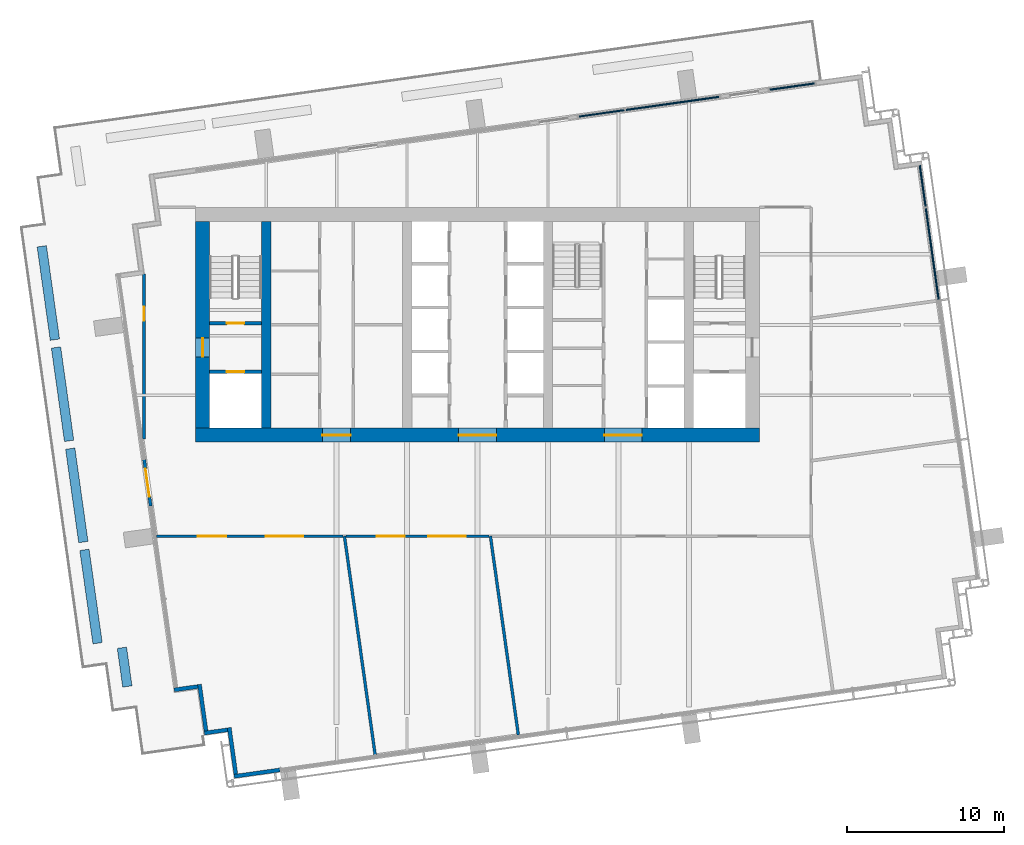
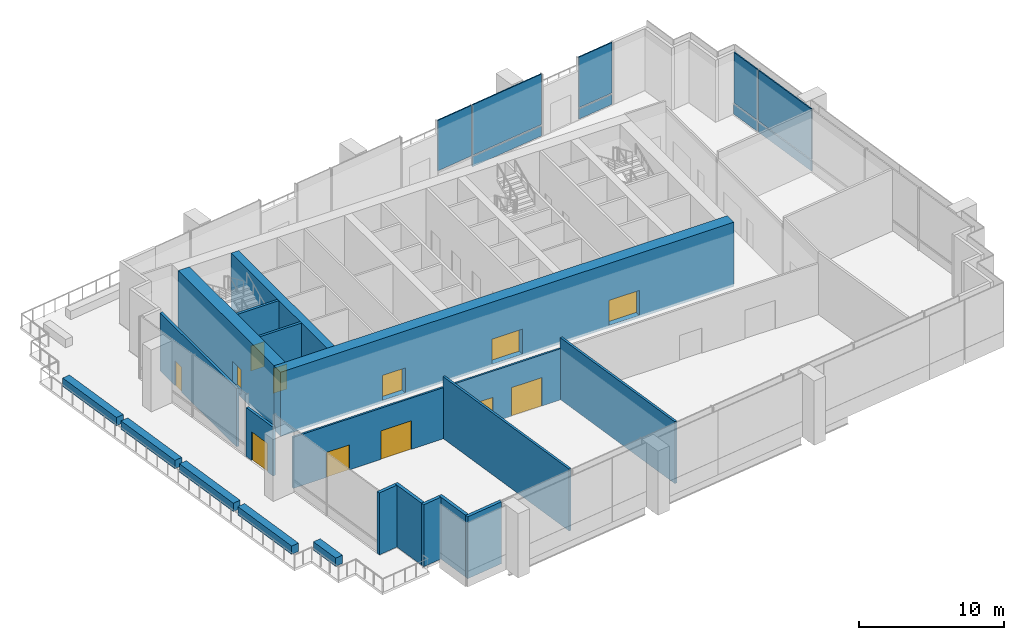
# One storey, part 6 of 18: 21 walls, 10 doors, 9 plates, 2 windows, 12 openings, 3 elements without a shape of their own.
"""IFC4 building model written with IfcOpenShell, lengths in metres."""

from ifc_helpers import new_model, si_unit, direction, frame, frame_2d, origin, origin_2d, place, context, subcontext, project, spatial, rectangle, extrude, material, layer, layer_set, type_object, element, fill, aggregate, save


model = new_model("IFC4")

# Units and contexts
model_context = context("Model", 3, precision=1e-05, world=origin(), true_north=direction((0.0, 1.0)))
body_context = subcontext(model_context, "Body", "Model", "MODEL_VIEW")
ifc_project = project(units=[si_unit("LENGTHUNIT", "METRE"), si_unit("AREAUNIT", "SQUARE_METRE"), si_unit("VOLUMEUNIT", "CUBIC_METRE"), si_unit("PLANEANGLEUNIT", "RADIAN"), si_unit("MASSUNIT", "GRAM", prefix="KILO")], contexts=[model_context])

# Site, building, storey
site_placement = place(None, origin())
site = spatial("IfcSite", under=ifc_project, at=site_placement, CompositionType="ELEMENT")
building_placement = place(site_placement, origin())
building = spatial("IfcBuilding", under=site, at=building_placement, Name="Rattan Terrace Tower", CompositionType="ELEMENT")
storey_placement = place(building_placement, frame((0.0, 0.0, 208.10009765625)))
storey = spatial("IfcBuildingStorey", under=building, at=storey_placement, Name="L47", CompositionType="ELEMENT", Elevation=208.10009765625)

# Curtain wall, plates
ifc_material_1 = material(Name="Steel fins, aluminium and glass", Category="steel")
ifc_layer_1 = layer(ifc_material_1, 0.300048828125)
ifc_layer_set_1 = layer_set([ifc_layer_1], Name="Sky Lobby Stick Curtain Wall")
curtain_wall_type = type_object("IfcCurtainWallType", Name="Sky Lobby Stick Curtain Wall", PredefinedType="NOTDEFINED", material=ifc_layer_set_1)
curtain_wall_1_placement = place(storey_placement, origin())
curtain_wall_1 = element("IfcCurtainWall", 1, at=curtain_wall_1_placement, inside=storey, type_object=curtain_wall_type, Name="Sky lobby curtain wall L47-1", PredefinedType="NOTDEFINED")
ifc_material_2 = material(Name="Insulated aluminium spandrel panel", Category="aluminium")
ifc_layer_2 = layer(ifc_material_2, 0.10009765625)
ifc_layer_set_2 = layer_set([ifc_layer_2], Name="Sky Lobby CW Insulated Panel")
plate_type_1 = type_object("IfcPlateType", Name="Sky Lobby CW Insulated Panel", PredefinedType="CURTAIN_PANEL", material=ifc_layer_set_2)
plate_1_placement = place(storey_placement, frame((29.03466796875, 4.52197265625, 0.0), z_axis=(0.0, 0.0, 1.0), x_axis=(-0.139186165309, 0.990266232579, 0.0)))
plate_1 = element("IfcPlate", 2, at=plate_1_placement, type_object=plate_type_1, Name="Panel cwl-L47-001.4.1", PredefinedType="CURTAIN_PANEL", context=body_context, shape_type="SweptSolid", body=[
    extrude(rectangle(XDim=5.919921875, YDim=0.10009765625, at=origin_2d()), origin(), (0.0, 0.0, 1.0), 0.840087890625),
])
plate_2_placement = place(storey_placement, frame((28.42626953125, 8.851806640625, 0.0), z_axis=(0.0, 0.0, 1.0), x_axis=(-0.139186165309, 0.990266232579, 0.0)))
plate_2 = element("IfcPlate", 3, at=plate_2_placement, type_object=plate_type_1, Name="Panel cwl-L47-001.5.1", PredefinedType="CURTAIN_PANEL", context=body_context, shape_type="SweptSolid", body=[
    extrude(rectangle(XDim=2.664794921875, YDim=0.10009765625, at=origin_2d()), origin(), (0.0, 0.0, 1.0), 0.840087890625),
])

# Curtain wall, plate
curtain_wall_2_placement = place(storey_placement, origin())
curtain_wall_2 = element("IfcCurtainWall", 4, at=curtain_wall_2_placement, inside=storey, type_object=curtain_wall_type, Name="Sky lobby curtain wall L47-2", PredefinedType="NOTDEFINED")
plate_3_placement = place(storey_placement, frame((20.091064453125, 15.21142578125, 0.0), z_axis=(0.0, 0.0, 1.0), x_axis=(-0.990267457022, -0.139177453499, 0.0)))
plate_3 = element("IfcPlate", 5, at=plate_3_placement, type_object=plate_type_1, Name="Panel cwl-L47-002.1.1", PredefinedType="CURTAIN_PANEL", context=body_context, shape_type="SweptSolid", body=[
    extrude(rectangle(XDim=2.9169921875, YDim=0.10009765625, at=origin_2d()), origin(), (0.0, 0.0, 1.0), 0.840087890625),
])

curtain_wall_3_placement = place(storey_placement, origin())
curtain_wall_3 = element("IfcCurtainWall", 6, at=curtain_wall_3_placement, inside=storey, type_object=curtain_wall_type, Name="Sky lobby curtain wall L47-3", PredefinedType="NOTDEFINED")
plate_4_placement = place(storey_placement, frame((12.45361328125, 14.13818359375, 0.0), z_axis=(0.0, 0.0, 1.0), x_axis=(-0.990267457022, -0.139177453499, 0.0)))
plate_4 = element("IfcPlate", 7, at=plate_4_placement, type_object=plate_type_1, Name="Panel cwl-L47-003.1.1", PredefinedType="CURTAIN_PANEL", context=body_context, shape_type="SweptSolid", body=[
    extrude(rectangle(XDim=6.033935546875, YDim=0.10009765625, at=origin_2d()), origin(), (0.0, 0.0, 1.0), 0.840087890625),
])

# Plate
ifc_material_3 = material(Name="Laminated low-iron glass", Category="glass")
ifc_layer_3 = layer(ifc_material_3, 0.090087890625)
ifc_layer_set_3 = layer_set([ifc_layer_3], Name="Sky Lobby CW Vision Panel")
plate_type_2 = type_object("IfcPlateType", Name="Sky Lobby CW Vision Panel", PredefinedType="CURTAIN_PANEL", material=ifc_layer_set_3)
plate_5_placement = place(storey_placement, frame((29.03466796875, 4.52197265625, 0.9599609375), z_axis=(0.0, 0.0, 1.0), x_axis=(-0.139186165309, 0.990266232579, 0.0)))
plate_5 = element("IfcPlate", 8, at=plate_5_placement, type_object=plate_type_2, Name="Panel cwl-L47-001.4.2", PredefinedType="CURTAIN_PANEL", context=body_context, shape_type="SweptSolid", body=[
    extrude(rectangle(XDim=5.919921875, YDim=0.090087890625, at=origin_2d()), origin(), (0.0, 0.0, 1.0), 4.239990234375),
])

plate_6_placement = place(storey_placement, frame((28.42626953125, 8.851806640625, 0.9599609375), z_axis=(0.0, 0.0, 1.0), x_axis=(-0.139186165309, 0.990266232579, 0.0)))
plate_6 = element("IfcPlate", 9, at=plate_6_placement, type_object=plate_type_2, Name="Panel cwl-L47-001.5.2", PredefinedType="CURTAIN_PANEL", context=body_context, shape_type="SweptSolid", body=[
    extrude(rectangle(XDim=2.664794921875, YDim=0.090087890625, at=origin_2d()), origin(), (0.0, 0.0, 1.0), 4.239990234375),
])

aggregate(curtain_wall_1, [plate_1, plate_5, plate_2, plate_6])

plate_7_placement = place(storey_placement, frame((20.091064453125, 15.21142578125, 0.9599609375), z_axis=(0.0, 0.0, 1.0), x_axis=(-0.990267457022, -0.139177453499, 0.0)))
plate_7 = element("IfcPlate", 10, at=plate_7_placement, type_object=plate_type_2, Name="Panel cwl-L47-002.1.2", PredefinedType="CURTAIN_PANEL", context=body_context, shape_type="SweptSolid", body=[
    extrude(rectangle(XDim=2.9169921875, YDim=0.090087890625, at=origin_2d()), origin(), (0.0, 0.0, 1.0), 4.239990234375),
])

aggregate(curtain_wall_2, [plate_3, plate_7])

plate_8_placement = place(storey_placement, frame((12.45361328125, 14.13818359375, 0.9599609375), z_axis=(0.0, 0.0, 1.0), x_axis=(-0.990267457022, -0.139177453499, 0.0)))
plate_8 = element("IfcPlate", 11, at=plate_8_placement, type_object=plate_type_2, Name="Panel cwl-L47-003.1.2", PredefinedType="CURTAIN_PANEL", context=body_context, shape_type="SweptSolid", body=[
    extrude(rectangle(XDim=6.033935546875, YDim=0.090087890625, at=origin_2d()), origin(), (0.0, 0.0, 1.0), 4.239990234375),
])

plate_9_placement = place(storey_placement, frame((7.922607421875, 13.501220703125, 0.9599609375), z_axis=(0.0, 0.0, 1.0), x_axis=(-0.990267457022, -0.139177453499, 0.0)))
plate_9 = element("IfcPlate", 12, at=plate_9_placement, type_object=plate_type_2, Name="Panel cwl-L47-003.2.2", PredefinedType="CURTAIN_PANEL", context=body_context, shape_type="SweptSolid", body=[
    extrude(rectangle(XDim=2.95703125, YDim=0.090087890625, at=origin_2d()), origin(), (0.0, 0.0, 1.0), 4.239990234375),
])

aggregate(curtain_wall_3, [plate_4, plate_8, plate_9])

# Wall, opening, door
ifc_material_4 = material(Name="Gypsum board partition")
ifc_layer_4 = layer(ifc_material_4, 0.199951171875)
ifc_layer_set_4 = layer_set([ifc_layer_4], Name="Core partition 200")
wall_type_1 = type_object("IfcWallType", Name="Core partition 200", PredefinedType="PARTITIONING", material=ifc_layer_set_4)
wall_1_placement = place(storey_placement, frame((-17.10009765625, -3.0, 0.0), z_axis=(0.0, 0.0, 1.0), x_axis=(1.0, 0.0, 0.0)))
wall_1 = element("IfcWall", 13, at=wall_1_placement, inside=storey, type_object=wall_type_1, Name="Fire-fighting lobby wall", PredefinedType="PARTITIONING", context=body_context, shape_type="SweptSolid", body=[
    extrude(rectangle(XDim=3.300048828125, YDim=0.199951171875, at=frame_2d((1.64990234375, 0.0))), origin(), (0.0, 0.0, 1.0), 5.199951171875),
])
opening_1_placement = place(wall_1_placement, frame((1.10009765625, 0.0, 0.0)))
opening_1 = element("IfcOpeningElement", 14, at=opening_1_placement, cuts=wall_1, Name="Opening L47-LD-FF1", PredefinedType="OPENING", context=body_context, shape_type="SweptSolid", body=[
    extrude(rectangle(XDim=1.10009765625, YDim=2.10009765625, at=frame_2d((0.550048828125, 1.050048828125))), frame((0.0, 0.110595703125, 0.0), z_axis=(0.0, -1.0, 0.0), x_axis=(1.0, 0.0, 0.0)), (0.0, 0.0, 1.0), 0.220947265625),
])
ifc_material_5 = material(Name="Brushed stainless landing door panel")
door_type_1 = type_object("IfcDoorType", Name="Core lift landing door 1100", OperationType="DOUBLE_DOOR_SLIDING", PredefinedType="DOOR", material=ifc_material_5)
door_1_placement = place(opening_1_placement, origin())
door_1 = element("IfcDoor", 15, at=door_1_placement, inside=storey, type_object=door_type_1, Name="Door L47-LD-FF1", OperationType="DOUBLE_DOOR_SLIDING", OverallHeight=2.10009765625, OverallWidth=1.10009765625, PredefinedType="DOOR", context=body_context, shape_type="SweptSolid", body=[
    extrude(rectangle(XDim=1.10009765625, YDim=2.10009765625, at=frame_2d((0.550048828125, 1.050048828125))), frame((0.0, 0.02490234375, 0.0), z_axis=(0.0, -1.0, 0.0), x_axis=(1.0, 0.0, 0.0)), (0.0, 0.0, 1.0), 0.050048828125),
])
fill(opening_1, door_1)

wall_2_placement = place(storey_placement, frame((-17.10009765625, 0.10009765625, 0.0), z_axis=(0.0, 0.0, 1.0), x_axis=(1.0, 0.0, 0.0)))
wall_2 = element("IfcWall", 16, at=wall_2_placement, inside=storey, type_object=wall_type_1, Name="Stair enclosure wall", PredefinedType="PARTITIONING", context=body_context, shape_type="SweptSolid", body=[
    extrude(rectangle(XDim=3.300048828125, YDim=0.199951171875, at=frame_2d((1.64990234375, 0.0))), origin(), (0.0, 0.0, 1.0), 5.199951171875),
])
opening_2_placement = place(wall_2_placement, frame((1.10009765625, 0.0, 0.0)))
opening_2 = element("IfcOpeningElement", 17, at=opening_2_placement, cuts=wall_2, Name="Opening L47-D002", PredefinedType="OPENING", context=body_context, shape_type="SweptSolid", body=[
    extrude(rectangle(XDim=1.10009765625, YDim=2.10009765625, at=frame_2d((0.550048828125, 1.050048828125))), frame((0.0, 0.110595703125, 0.0), z_axis=(0.0, -1.0, 0.0), x_axis=(1.0, 0.0, 0.0)), (0.0, 0.0, 1.0), 0.220947265625),
])
ifc_material_6 = material(Name="Hollow-metal fire door leaf")
door_type_2 = type_object("IfcDoorType", Name="Core stair door 1100", OperationType="NOTDEFINED", PredefinedType="DOOR", material=ifc_material_6)
door_2_placement = place(opening_2_placement, origin())
door_2 = element("IfcDoor", 18, at=door_2_placement, inside=storey, type_object=door_type_2, Name="Door L47-D002", OperationType="SINGLE_SWING_LEFT", OverallHeight=2.10009765625, OverallWidth=1.10009765625, PredefinedType="DOOR", context=body_context, shape_type="SweptSolid", body=[
    extrude(rectangle(XDim=1.10009765625, YDim=2.10009765625, at=frame_2d((0.550048828125, 1.050048828125))), frame((0.0, 0.02490234375, 0.0), z_axis=(0.0, -1.0, 0.0), x_axis=(1.0, 0.0, 0.0)), (0.0, 0.0, 1.0), 0.050048828125),
])
fill(opening_2, door_2)

# Wall, openings, doors
ifc_material_7 = material(Name="Concrete C50/60", Category="concrete")
ifc_layer_5 = layer(ifc_material_7, 0.89990234375)
ifc_layer_set_5 = layer_set([ifc_layer_5], Name="Core ring wall 900 C50/60")
wall_type_2 = type_object("IfcWallType", Name="Core ring wall 900 C50/60", PredefinedType="SHEAR", material=ifc_layer_set_5)
wall_3_placement = place(storey_placement, frame((-18.0, -7.050048828125, -0.2001953125), z_axis=(0.0, 0.0, 1.0), x_axis=(1.0, 0.0, 0.0)))
wall_3 = element("IfcWall", 19, at=wall_3_placement, inside=storey, type_object=wall_type_2, Name="Rear core wall south", PredefinedType="SHEAR", context=body_context, shape_type="SweptSolid", body=[
    extrude(rectangle(XDim=36.0, YDim=0.89990234375, at=frame_2d((18.0, 0.0))), origin(), (0.0, 0.0, 1.0), 5.400146484375),
])
opening_3_placement = place(wall_3_placement, frame((8.10009765625, 0.0, 0.199951171875)))
opening_3 = element("IfcOpeningElement", 20, at=opening_3_placement, cuts=wall_3, Name="Opening L47-D011", PredefinedType="OPENING", context=body_context, shape_type="SweptSolid", body=[
    extrude(rectangle(XDim=1.800048828125, YDim=2.10009765625, at=frame_2d((0.89990234375, 1.050048828125))), frame((0.0, 0.46044921875, 0.0), z_axis=(0.0, -1.0, 0.0), x_axis=(1.0, 0.0, 0.0)), (0.0, 0.0, 1.0), 0.9208984375),
])
opening_4_placement = place(wall_3_placement, frame((16.800048828125, 0.0, 0.199951171875)))
opening_4 = element("IfcOpeningElement", 21, at=opening_4_placement, cuts=wall_3, Name="Opening L47-D014", PredefinedType="OPENING", context=body_context, shape_type="SweptSolid", body=[
    extrude(rectangle(XDim=2.39990234375, YDim=2.10009765625, at=frame_2d((1.199951171875, 1.050048828125))), frame((0.0, 0.46044921875, 0.0), z_axis=(0.0, -1.0, 0.0), x_axis=(1.0, 0.0, 0.0)), (0.0, 0.0, 1.0), 0.9208984375),
])
opening_5_placement = place(wall_3_placement, frame((26.10009765625, 0.0, 0.199951171875)))
opening_5 = element("IfcOpeningElement", 22, at=opening_5_placement, cuts=wall_3, Name="Opening L47-D019", PredefinedType="OPENING", context=body_context, shape_type="SweptSolid", body=[
    extrude(rectangle(XDim=2.39990234375, YDim=2.10009765625, at=frame_2d((1.199951171875, 1.050048828125))), frame((0.0, 0.46044921875, 0.0), z_axis=(0.0, -1.0, 0.0), x_axis=(1.0, 0.0, 0.0)), (0.0, 0.0, 1.0), 0.9208984375),
])
ifc_material_8 = material(Name="Hollow-metal fire door leaf")
door_type_3 = type_object("IfcDoorType", Name="Core lift lobby door 2400", OperationType="NOTDEFINED", PredefinedType="DOOR", material=ifc_material_8)
door_3_placement = place(opening_4_placement, origin())
door_3 = element("IfcDoor", 23, at=door_3_placement, inside=storey, type_object=door_type_3, Name="Door L47-D014", OperationType="DOUBLE_DOOR_DOUBLE_SWING", OverallHeight=2.10009765625, OverallWidth=2.39990234375, PredefinedType="DOOR", context=body_context, shape_type="SweptSolid", body=[
    extrude(rectangle(XDim=2.39990234375, YDim=2.10009765625, at=frame_2d((1.199951171875, 1.050048828125))), frame((0.0, 0.02490234375, 0.0), z_axis=(0.0, -1.0, 0.0), x_axis=(1.0, 0.0, 0.0)), (0.0, 0.0, 1.0), 0.050048828125),
])
fill(opening_4, door_3)
door_4_placement = place(opening_5_placement, origin())
door_4 = element("IfcDoor", 24, at=door_4_placement, inside=storey, type_object=door_type_3, Name="Door L47-D019", OperationType="DOUBLE_DOOR_DOUBLE_SWING", OverallHeight=2.10009765625, OverallWidth=2.39990234375, PredefinedType="DOOR", context=body_context, shape_type="SweptSolid", body=[
    extrude(rectangle(XDim=2.39990234375, YDim=2.10009765625, at=frame_2d((1.199951171875, 1.050048828125))), frame((0.0, 0.02490234375, 0.0), z_axis=(0.0, -1.0, 0.0), x_axis=(1.0, 0.0, 0.0)), (0.0, 0.0, 1.0), 0.050048828125),
])
fill(opening_5, door_4)
ifc_material_9 = material(Name="Hollow-metal fire door leaf")
door_type_4 = type_object("IfcDoorType", Name="Core service room door 1800", OperationType="NOTDEFINED", PredefinedType="DOOR", material=ifc_material_9)
door_5_placement = place(opening_3_placement, origin())
door_5 = element("IfcDoor", 25, at=door_5_placement, inside=storey, type_object=door_type_4, Name="Door L47-D011", OperationType="SINGLE_SWING_RIGHT", OverallHeight=2.10009765625, OverallWidth=1.800048828125, PredefinedType="DOOR", context=body_context, shape_type="SweptSolid", body=[
    extrude(rectangle(XDim=1.800048828125, YDim=2.10009765625, at=frame_2d((0.89990234375, 1.050048828125))), frame((0.0, 0.02490234375, 0.0), z_axis=(0.0, -1.0, 0.0), x_axis=(1.0, 0.0, 0.0)), (0.0, 0.0, 1.0), 0.050048828125),
])
fill(opening_3, door_5)

# Wall, opening, door
wall_4_placement = place(storey_placement, frame((-17.550048828125, -6.60009765625, -0.2001953125), z_axis=(0.0, 0.0, 1.0), x_axis=(0.0, 1.0, 0.0)))
wall_4 = element("IfcWall", 26, at=wall_4_placement, inside=storey, type_object=wall_type_2, Name="Rear core wall west", PredefinedType="SHEAR", context=body_context, shape_type="SweptSolid", body=[
    extrude(rectangle(XDim=13.2001953125, YDim=0.89990234375, at=frame_2d((6.60009765625, 0.0))), origin(), (0.0, 0.0, 1.0), 5.400146484375),
])
opening_6_placement = place(wall_4_placement, frame((4.550048828125, 0.0, 0.199951171875)))
opening_6 = element("IfcOpeningElement", 27, at=opening_6_placement, cuts=wall_4, Name="Opening L47-D001", PredefinedType="OPENING", context=body_context, shape_type="SweptSolid", body=[
    extrude(rectangle(XDim=1.199951171875, YDim=2.10009765625, at=frame_2d((0.60009765625, 1.050048828125))), frame((0.0, 0.46044921875, 0.0), z_axis=(0.0, -1.0, 0.0), x_axis=(1.0, 0.0, 0.0)), (0.0, 0.0, 1.0), 0.9208984375),
])
ifc_material_10 = material(Name="Hollow-metal fire door leaf")
door_type_5 = type_object("IfcDoorType", Name="Core fire-fighting lobby door 1200", OperationType="NOTDEFINED", PredefinedType="DOOR", material=ifc_material_10)
door_6_placement = place(opening_6_placement, origin())
door_6 = element("IfcDoor", 28, at=door_6_placement, inside=storey, type_object=door_type_5, Name="Door L47-D001", OperationType="SINGLE_SWING_RIGHT", OverallHeight=2.10009765625, OverallWidth=1.199951171875, PredefinedType="DOOR", context=body_context, shape_type="SweptSolid", body=[
    extrude(rectangle(XDim=1.199951171875, YDim=2.10009765625, at=frame_2d((0.60009765625, 1.050048828125))), frame((0.0, 0.02490234375, 0.0), z_axis=(0.0, -1.0, 0.0), x_axis=(1.0, 0.0, 0.0)), (0.0, 0.0, 1.0), 0.050048828125),
])
fill(opening_6, door_6)

# Wall
ifc_material_11 = material(Name="Concrete C50/60", Category="concrete")
ifc_layer_6 = layer(ifc_material_11, 0.60009765625)
ifc_layer_set_6 = layer_set([ifc_layer_6], Name="Core spine wall 600 C50/60")
wall_type_3 = type_object("IfcWallType", Name="Core spine wall 600 C50/60", PredefinedType="SHEAR", material=ifc_layer_set_6)
wall_5_placement = place(storey_placement, frame((-13.5, -6.60009765625, -0.2001953125), z_axis=(0.0, 0.0, 1.0), x_axis=(0.0, 1.0, 0.0)))
element("IfcWall", 29, at=wall_5_placement, inside=storey, type_object=wall_type_3, Name="Core spine wall 1", PredefinedType="SHEAR", context=body_context, shape_type="SweptSolid", body=[
    extrude(rectangle(XDim=13.2001953125, YDim=0.60009765625, at=frame_2d((6.60009765625, 0.0))), origin(), (0.0, 0.0, 1.0), 5.400146484375),
])

# Wall, opening, door
ifc_material_12 = material(Name="Insulated aluminium-clad stud wall", Category="aluminium")
ifc_layer_7 = layer(ifc_material_12, 0.199951171875)
ifc_layer_set_7 = layer_set([ifc_layer_7], Name="Facade Door Wall 200")
wall_type_4 = type_object("IfcWallType", Name="Facade Door Wall 200", PredefinedType="SOLIDWALL", material=ifc_layer_set_7)
wall_6_placement = place(storey_placement, frame((-21.287353515625, -8.609619140625, 0.0), z_axis=(0.0, 0.0, 1.0), x_axis=(0.139165050317, -0.990269200152, 0.0)))
wall_6 = element("IfcWall", 30, at=wall_6_placement, inside=storey, type_object=wall_type_4, Name="Terrace door wall L47-19", PredefinedType="SOLIDWALL", context=body_context, shape_type="SweptSolid", body=[
    extrude(rectangle(XDim=3.0, YDim=0.199951171875, at=frame_2d((1.5, 0.0))), origin(), (0.0, 0.0, 1.0), 4.099853515625),
])
opening_7_placement = place(wall_6_placement, frame((0.60009765625, 0.0, 0.0)))
opening_7 = element("IfcOpeningElement", 31, at=opening_7_placement, cuts=wall_6, Name="Opening L47-D704", PredefinedType="OPENING", context=body_context, shape_type="SweptSolid", body=[
    extrude(rectangle(XDim=1.800048828125, YDim=2.39990234375, at=frame_2d((0.89990234375, 1.199951171875))), frame((0.0, 0.110595703125, 0.0), z_axis=(0.0, -1.0, 0.0), x_axis=(1.0, 0.0, 0.0)), (0.0, 0.0, 1.0), 0.220947265625),
])
ifc_material_13 = material(Name="Aluminium and clear glass", Category="aluminium")
door_type_6 = type_object("IfcDoorType", Name="Facade Terrace Door 1800", OperationType="DOUBLE_DOOR_SINGLE_SWING", PredefinedType="DOOR", material=ifc_material_13)
door_7_placement = place(opening_7_placement, origin())
door_7 = element("IfcDoor", 32, at=door_7_placement, inside=storey, type_object=door_type_6, Name="Terrace door L47-D704", OperationType="DOUBLE_DOOR_SINGLE_SWING", OverallHeight=2.39990234375, OverallWidth=1.800048828125, PredefinedType="DOOR", context=body_context, shape_type="SweptSolid", body=[
    extrude(rectangle(XDim=1.800048828125, YDim=2.39990234375, at=frame_2d((0.89990234375, 1.199951171875))), frame((0.0, 0.02490234375, 0.0), z_axis=(0.0, -1.0, 0.0), x_axis=(1.0, 0.0, 0.0)), (0.0, 0.0, 1.0), 0.050048828125),
])
fill(opening_7, door_7)

# Walls
ifc_material_14 = material(Name="Precast concrete C30/37", Category="concrete")
ifc_layer_8 = layer(ifc_material_14, 0.60009765625)
ifc_layer_set_8 = layer_set([ifc_layer_8], Name="Facade Planter Wall 600")
wall_type_5 = type_object("IfcWallType", Name="Facade Planter Wall 600", PredefinedType="SOLIDWALL", material=ifc_layer_set_8)
wall_7_placement = place(storey_placement, frame((-22.360107421875, -23.097900390625, 0.0), z_axis=(0.0, 0.0, 1.0), x_axis=(-0.13915159304, 0.990271091244, 0.0)))
element("IfcWall", 33, at=wall_7_placement, inside=storey, type_object=wall_type_5, Name="PLANTER bed L47-1", PredefinedType="SOLIDWALL", context=body_context, shape_type="SweptSolid", body=[
    extrude(rectangle(XDim=2.500244140625, YDim=0.60009765625, at=frame_2d((1.25, 0.0))), origin(), (0.0, 0.0, 1.0), 0.699951171875),
])
wall_8_placement = place(storey_placement, frame((-24.262939453125, -20.3359375, 0.0), z_axis=(0.0, 0.0, 1.0), x_axis=(-0.139095283114, 0.990279002209, 0.0)))
element("IfcWall", 34, at=wall_8_placement, inside=storey, type_object=wall_type_5, Name="PLANTER bed L47-2", PredefinedType="SOLIDWALL", context=body_context, shape_type="SweptSolid", body=[
    extrude(rectangle(XDim=6.025634765625, YDim=0.60009765625, at=frame_2d((3.0126953125, 0.0))), origin(), (0.0, 0.0, 1.0), 0.699951171875),
])
wall_9_placement = place(storey_placement, frame((-25.1708984375, -13.8740234375, 0.0), z_axis=(0.0, 0.0, 1.0), x_axis=(-0.139117610484, 0.990275865834, 0.0)))
element("IfcWall", 35, at=wall_9_placement, inside=storey, type_object=wall_type_5, Name="PLANTER bed L47-3", PredefinedType="SOLIDWALL", context=body_context, shape_type="SweptSolid", body=[
    extrude(rectangle(XDim=6.024658203125, YDim=0.60009765625, at=frame_2d((3.01220703125, 0.0))), origin(), (0.0, 0.0, 1.0), 0.699951171875),
])
wall_10_placement = place(storey_placement, frame((-26.0791015625, -7.4130859375, 0.0), z_axis=(0.0, 0.0, 1.0), x_axis=(-0.139214479744, 0.990262252451, 0.0)))
element("IfcWall", 36, at=wall_10_placement, inside=storey, type_object=wall_type_5, Name="PLANTER bed L47-4", PredefinedType="SOLIDWALL", context=body_context, shape_type="SweptSolid", body=[
    extrude(rectangle(XDim=6.025634765625, YDim=0.60009765625, at=frame_2d((3.0126953125, 0.0))), origin(), (0.0, 0.0, 1.0), 0.699951171875),
])
wall_11_placement = place(storey_placement, frame((-26.987060546875, -0.950927734375, 0.0), z_axis=(0.0, 0.0, 1.0), x_axis=(-0.139242413039, 0.990258325091, 0.0)))
element("IfcWall", 37, at=wall_11_placement, inside=storey, type_object=wall_type_5, Name="PLANTER bed L47-5", PredefinedType="SOLIDWALL", context=body_context, shape_type="SweptSolid", body=[
    extrude(rectangle(XDim=6.0244140625, YDim=0.60009765625, at=frame_2d((3.01220703125, 0.0))), origin(), (0.0, 0.0, 1.0), 0.699951171875),
])
ifc_material_15 = material(Name="Insulated aluminium-clad stud wall", Category="aluminium")
ifc_layer_9 = layer(ifc_material_15, 0.25)
ifc_layer_set_9 = layer_set([ifc_layer_9], Name="Facade Riser Wall 250")
wall_type_6 = type_object("IfcWallType", Name="Facade Riser Wall 250", PredefinedType="SOLIDWALL", material=ifc_layer_set_9)
wall_12_placement = place(storey_placement, frame((-19.371826171875, -23.31591796875, 0.0), z_axis=(0.0, 0.0, 1.0), x_axis=(0.990226193633, 0.139470733288, 0.0)))
element("IfcWall", 38, at=wall_12_placement, inside=storey, type_object=wall_type_6, Name="Riser wall L47-20", PredefinedType="SOLIDWALL", context=body_context, shape_type="SweptSolid", body=[
    extrude(rectangle(XDim=1.524658203125, YDim=0.25, at=frame_2d((0.76220703125, 0.0))), origin(), (0.0, 0.0, 1.0), 5.199951171875),
])
wall_13_placement = place(storey_placement, frame((-17.755859375, -22.962158203125, 0.0), z_axis=(0.0, 0.0, 1.0), x_axis=(0.139393225799, -0.990237107263, 0.0)))
element("IfcWall", 39, at=wall_13_placement, inside=storey, type_object=wall_type_6, Name="Riser wall L47-21", PredefinedType="SOLIDWALL", context=body_context, shape_type="SweptSolid", body=[
    extrude(rectangle(XDim=3.000244140625, YDim=0.25, at=frame_2d((1.5, 0.0))), origin(), (0.0, 0.0, 1.0), 5.199951171875),
])
wall_14_placement = place(storey_placement, frame((-17.444091796875, -26.074462890625, 0.0), z_axis=(0.0, 0.0, 1.0), x_axis=(0.990240434918, 0.139369584395, 0.0)))
element("IfcWall", 40, at=wall_14_placement, inside=storey, type_object=wall_type_6, Name="Riser wall L47-22", PredefinedType="SOLIDWALL", context=body_context, shape_type="SweptSolid", body=[
    extrude(rectangle(XDim=1.49951171875, YDim=0.25, at=frame_2d((0.749755859375, 0.0))), origin(), (0.0, 0.0, 1.0), 5.199951171875),
])
wall_15_placement = place(storey_placement, frame((-15.852783203125, -25.72412109375, 0.0), z_axis=(0.0, 0.0, 1.0), x_axis=(0.139302206688, -0.990249915532, 0.0)))
element("IfcWall", 41, at=wall_15_placement, inside=storey, type_object=wall_type_6, Name="Riser wall L47-23", PredefinedType="SOLIDWALL", context=body_context, shape_type="SweptSolid", body=[
    extrude(rectangle(XDim=3.00048828125, YDim=0.25, at=frame_2d((1.500244140625, 0.0))), origin(), (0.0, 0.0, 1.0), 5.199951171875),
])
wall_16_placement = place(storey_placement, frame((-15.541015625, -28.83642578125, 0.0), z_axis=(0.0, 0.0, 1.0), x_axis=(0.990285396533, 0.139049751574, 0.0)))
element("IfcWall", 42, at=wall_16_placement, inside=storey, type_object=wall_type_6, Name="Riser wall L47-24", PredefinedType="SOLIDWALL", context=body_context, shape_type="SweptSolid", body=[
    extrude(rectangle(XDim=2.955078125, YDim=0.25, at=frame_2d((1.4775390625, 0.0))), origin(), (0.0, 0.0, 1.0), 5.199951171875),
])
ifc_material_16 = material(Name="Double steel stud acoustic partition, gypsum board, mineral wool, fire rated", Category="steel")
ifc_layer_10 = layer(ifc_material_16, 0.179931640625)
ifc_layer_set_10 = layer_set([ifc_layer_10], Name="Floors Acoustic Party Wall 180")
wall_type_7 = type_object("IfcWallType", Name="Floors Acoustic Party Wall 180", PredefinedType="PARTITIONING", material=ifc_layer_set_10)
wall_17_placement = place(storey_placement, frame((-6.533935546875, -27.48095703125, 0.0), z_axis=(0.0, 0.0, 1.0), x_axis=(-0.139118642378, 0.990275720869, 0.0)))
element("IfcWall", 43, at=wall_17_placement, inside=storey, type_object=wall_type_7, Name="pt-L47-010", PredefinedType="PARTITIONING", context=body_context, shape_type="SweptSolid", body=[
    extrude(rectangle(XDim=14.1181640625, YDim=0.179931640625, at=frame_2d((7.05908203125, 0.0))), origin(), (0.0, 0.0, 1.0), 5.199951171875),
])
wall_18_placement = place(storey_placement, frame((0.822998046875, -13.5, 0.0), z_axis=(0.0, 0.0, 1.0), x_axis=(0.139144249442, -0.990272123129, 0.0)))
element("IfcWall", 44, at=wall_18_placement, inside=storey, type_object=wall_type_7, Name="pt-L47-011", PredefinedType="PARTITIONING", context=body_context, shape_type="SweptSolid", body=[
    extrude(rectangle(XDim=12.82080078125, YDim=0.179931640625, at=frame_2d((6.410400390625, 0.0))), origin(), (0.0, 0.0, 1.0), 5.199951171875),
])

# Wall, opening, door
ifc_material_17 = material(Name="Concrete block wall, plastered", Category="concrete")
ifc_layer_11 = layer(ifc_material_17, 0.199951171875)
ifc_layer_set_11 = layer_set([ifc_layer_11], Name="Floors Plant Wall 200")
wall_type_8 = type_object("IfcWallType", Name="Floors Plant Wall 200", PredefinedType="PARTITIONING", material=ifc_layer_set_11)
wall_19_placement = place(storey_placement, frame((-21.299072265625, -7.300048828125, 0.0), z_axis=(0.0, 0.0, 1.0), x_axis=(0.0, 1.0, 0.0)))
wall_19 = element("IfcWall", 45, at=wall_19_placement, inside=storey, type_object=wall_type_8, Name="pt-L47-004", PredefinedType="PARTITIONING", context=body_context, shape_type="SweptSolid", body=[
    extrude(rectangle(XDim=10.5439453125, YDim=0.199951171875, at=frame_2d((5.27197265625, 0.0))), origin(), (0.0, 0.0, 1.0), 4.89990234375),
])
opening_8_placement = place(wall_19_placement, frame((7.56494140625, 0.0, 0.0)))
opening_8 = element("IfcOpeningElement", 46, at=opening_8_placement, cuts=wall_19, Name="Opening L47-D103", PredefinedType="OPENING", context=body_context, shape_type="SweptSolid", body=[
    extrude(rectangle(XDim=0.89990234375, YDim=2.10009765625, at=frame_2d((0.449951171875, 1.050048828125))), frame((0.0, 0.110595703125, 0.0), z_axis=(0.0, -1.0, 0.0), x_axis=(1.0, 0.0, 0.0)), (0.0, 0.0, 1.0), 0.220947265625),
])
ifc_material_18 = material(Name="Steel fire door set", Category="steel")
door_type_7 = type_object("IfcDoorType", Name="Floors Fire Door FD60 900x2100", OperationType="NOTDEFINED", PredefinedType="DOOR", material=ifc_material_18)
door_8_placement = place(opening_8_placement, origin())
door_8 = element("IfcDoor", 47, at=door_8_placement, inside=storey, type_object=door_type_7, Name="d-L47-103", OperationType="SINGLE_SWING_RIGHT", OverallHeight=2.10009765625, OverallWidth=0.89990234375, PredefinedType="DOOR", context=body_context, shape_type="SweptSolid", body=[
    extrude(rectangle(XDim=0.89990234375, YDim=2.10009765625, at=frame_2d((0.449951171875, 1.050048828125))), frame((0.0, 0.02490234375, 0.0), z_axis=(0.0, -1.0, 0.0), x_axis=(1.0, 0.0, 0.0)), (0.0, 0.0, 1.0), 0.050048828125),
])
fill(opening_8, door_8)

# Wall, openings, door, window
ifc_material_19 = material(Name="Gypsum board partition on steel studs, fire rated", Category="steel")
ifc_layer_12 = layer(ifc_material_19, 0.14990234375)
ifc_layer_set_12 = layer_set([ifc_layer_12], Name="Floors Tenancy Wall 150")
wall_type_9 = type_object("IfcWallType", Name="Floors Tenancy Wall 150", PredefinedType="PARTITIONING", material=ifc_layer_set_12)
wall_20_placement = place(storey_placement, frame((0.73388671875, -13.5, 0.0), z_axis=(0.0, 0.0, 1.0), x_axis=(-1.0, 0.0, 0.0)))
wall_20 = element("IfcWall", 48, at=wall_20_placement, inside=storey, type_object=wall_type_9, Name="pt-L47-001", PredefinedType="PARTITIONING", context=body_context, shape_type="SweptSolid", body=[
    extrude(rectangle(XDim=9.130859375, YDim=0.14990234375, at=frame_2d((4.5654296875, 0.0))), origin(), (0.0, 0.0, 1.0), 4.2998046875),
])
opening_9_placement = place(wall_20_placement, frame((5.373046875, 0.0, 0.0)))
opening_9 = element("IfcOpeningElement", 49, at=opening_9_placement, cuts=wall_20, Name="Opening L47-D100", PredefinedType="OPENING", context=body_context, shape_type="SweptSolid", body=[
    extrude(rectangle(XDim=1.800048828125, YDim=2.10009765625, at=frame_2d((0.89990234375, 1.050048828125))), frame((0.0, 0.08544921875, 0.0), z_axis=(0.0, -1.0, 0.0), x_axis=(1.0, 0.0, 0.0)), (0.0, 0.0, 1.0), 0.1708984375),
])
opening_10_placement = place(wall_20_placement, frame((1.486083984375, 0.0, 0.0)))
opening_10 = element("IfcOpeningElement", 50, at=opening_10_placement, cuts=wall_20, Name="Opening L47-W100", PredefinedType="OPENING", context=body_context, shape_type="SweptSolid", body=[
    extrude(rectangle(XDim=2.39990234375, YDim=2.39990234375, at=frame_2d((1.199951171875, 1.199951171875))), frame((0.0, 0.08544921875, 0.0), z_axis=(0.0, -1.0, 0.0), x_axis=(1.0, 0.0, 0.0)), (0.0, 0.0, 1.0), 0.1708984375),
])
ifc_material_20 = material(Name="Steel fire door set", Category="steel")
door_type_8 = type_object("IfcDoorType", Name="Floors Fire Door Pair FD30S 1800x2100", OperationType="NOTDEFINED", PredefinedType="DOOR", material=ifc_material_20)
door_9_placement = place(opening_9_placement, origin())
door_9 = element("IfcDoor", 51, at=door_9_placement, inside=storey, type_object=door_type_8, Name="d-L47-100", OperationType="DOUBLE_DOOR_SINGLE_SWING", OverallHeight=2.10009765625, OverallWidth=1.800048828125, PredefinedType="DOOR", context=body_context, shape_type="SweptSolid", body=[
    extrude(rectangle(XDim=1.800048828125, YDim=2.10009765625, at=frame_2d((0.89990234375, 1.050048828125))), frame((0.0, 0.02490234375, 0.0), z_axis=(0.0, -1.0, 0.0), x_axis=(1.0, 0.0, 0.0)), (0.0, 0.0, 1.0), 0.050048828125),
])
fill(opening_9, door_9)
ifc_material_21 = material(Name="Glass, clear, fixed in aluminium frame", Category="aluminium")
window_type = type_object("IfcWindowType", Name="Interior Glazed Screen 2400x2400", PartitioningType="SINGLE_PANEL", PredefinedType="WINDOW", material=ifc_material_21)
window_1_placement = place(opening_10_placement, origin())
window_1 = element("IfcWindow", 52, at=window_1_placement, inside=storey, type_object=window_type, Name="w-L47-100", OverallHeight=2.39990234375, OverallWidth=2.39990234375, PartitioningType="SINGLE_PANEL", PredefinedType="WINDOW", context=body_context, shape_type="SweptSolid", body=[
    extrude(rectangle(XDim=2.39990234375, YDim=2.39990234375, at=frame_2d((1.199951171875, 1.199951171875))), frame((0.0, 0.030029296875, 0.0), z_axis=(0.0, -1.0, 0.0), x_axis=(1.0, 0.0, 0.0)), (0.0, 0.0, 1.0), 0.06005859375),
])
fill(opening_10, window_1)

wall_21_placement = place(storey_placement, frame((-8.5869140625, -13.5, 0.0), z_axis=(0.0, 0.0, 1.0), x_axis=(-1.0, 0.0, 0.0)))
wall_21 = element("IfcWall", 53, at=wall_21_placement, inside=storey, type_object=wall_type_9, Name="pt-L47-002", PredefinedType="PARTITIONING", context=body_context, shape_type="SweptSolid", body=[
    extrude(rectangle(XDim=11.922119140625, YDim=0.14990234375, at=frame_2d((5.9609375, 0.0))), origin(), (0.0, 0.0, 1.0), 4.2998046875),
])
opening_11_placement = place(wall_21_placement, frame((7.466064453125, 0.0, 0.0)))
opening_11 = element("IfcOpeningElement", 54, at=opening_11_placement, cuts=wall_21, Name="Opening L47-D101", PredefinedType="OPENING", context=body_context, shape_type="SweptSolid", body=[
    extrude(rectangle(XDim=1.800048828125, YDim=2.10009765625, at=frame_2d((0.89990234375, 1.050048828125))), frame((0.0, 0.08544921875, 0.0), z_axis=(0.0, -1.0, 0.0), x_axis=(1.0, 0.0, 0.0)), (0.0, 0.0, 1.0), 0.1708984375),
])
opening_12_placement = place(wall_21_placement, frame((2.532958984375, 0.0, 0.0)))
opening_12 = element("IfcOpeningElement", 55, at=opening_12_placement, cuts=wall_21, Name="Opening L47-W101", PredefinedType="OPENING", context=body_context, shape_type="SweptSolid", body=[
    extrude(rectangle(XDim=2.39990234375, YDim=2.39990234375, at=frame_2d((1.199951171875, 1.199951171875))), frame((0.0, 0.08544921875, 0.0), z_axis=(0.0, -1.0, 0.0), x_axis=(1.0, 0.0, 0.0)), (0.0, 0.0, 1.0), 0.1708984375),
])
door_10_placement = place(opening_11_placement, origin())
door_10 = element("IfcDoor", 56, at=door_10_placement, inside=storey, type_object=door_type_8, Name="d-L47-101", OperationType="DOUBLE_DOOR_SINGLE_SWING", OverallHeight=2.10009765625, OverallWidth=1.800048828125, PredefinedType="DOOR", context=body_context, shape_type="SweptSolid", body=[
    extrude(rectangle(XDim=1.800048828125, YDim=2.10009765625, at=frame_2d((0.89990234375, 1.050048828125))), frame((0.0, 0.02490234375, 0.0), z_axis=(0.0, -1.0, 0.0), x_axis=(1.0, 0.0, 0.0)), (0.0, 0.0, 1.0), 0.050048828125),
])
fill(opening_11, door_10)
window_2_placement = place(opening_12_placement, origin())
window_2 = element("IfcWindow", 57, at=window_2_placement, inside=storey, type_object=window_type, Name="w-L47-101", OverallHeight=2.39990234375, OverallWidth=2.39990234375, PartitioningType="SINGLE_PANEL", PredefinedType="WINDOW", context=body_context, shape_type="SweptSolid", body=[
    extrude(rectangle(XDim=2.39990234375, YDim=2.39990234375, at=frame_2d((1.199951171875, 1.199951171875))), frame((0.0, 0.030029296875, 0.0), z_axis=(0.0, -1.0, 0.0), x_axis=(1.0, 0.0, 0.0)), (0.0, 0.0, 1.0), 0.06005859375),
])
fill(opening_12, window_2)

save(model, "model.ifc")
